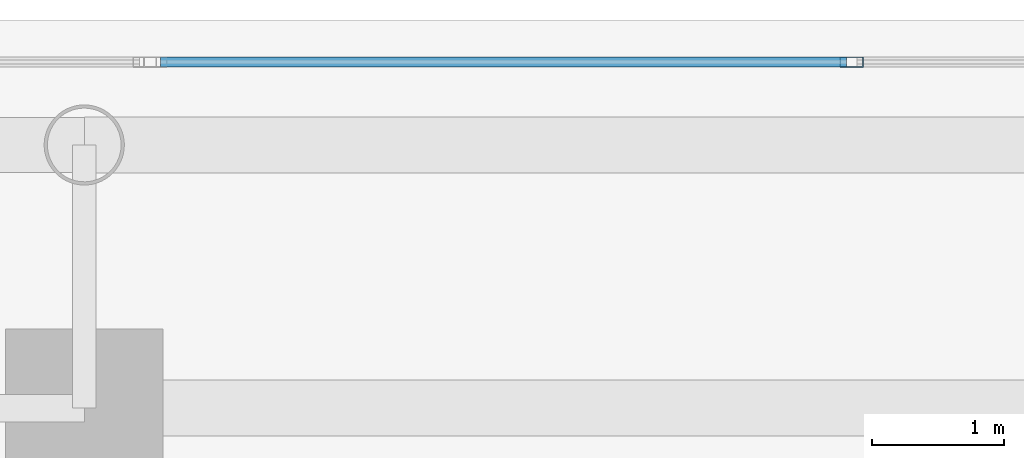
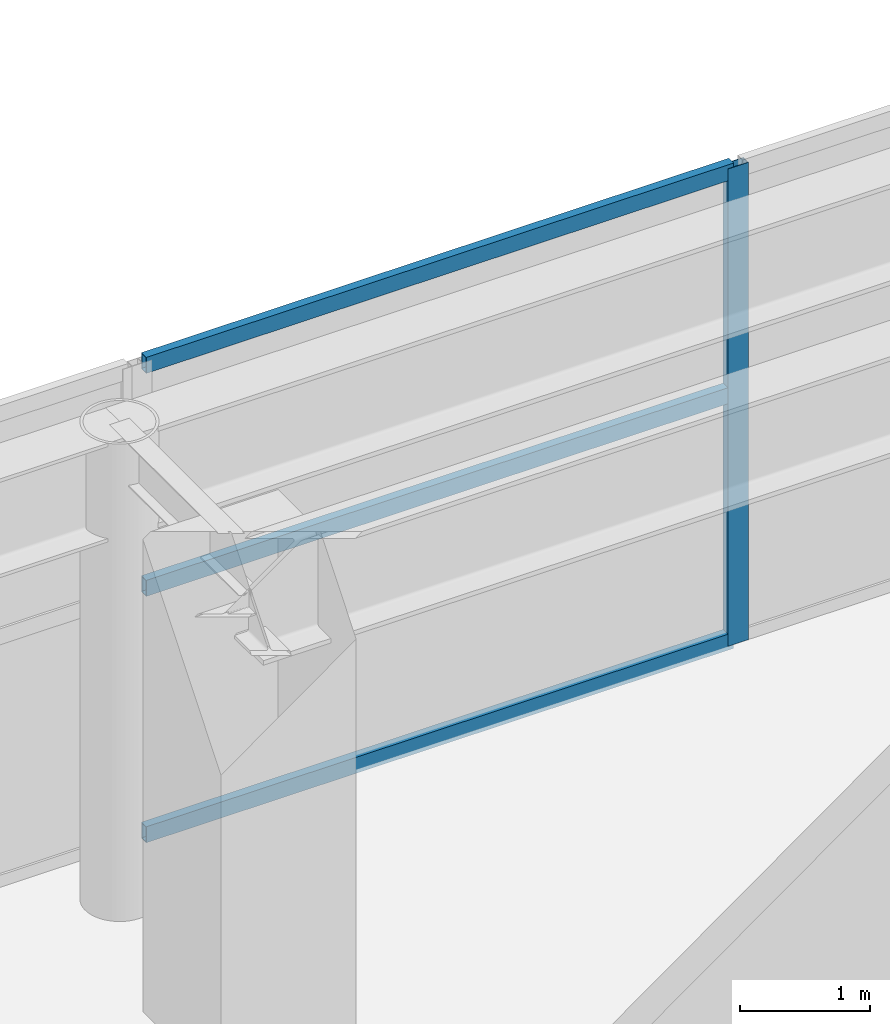
# One storey, part 13 of 28: 4 members, 1 element without a shape of its own.
"""IFC4 building model written with IfcOpenShell, lengths in metres."""

from ifc_helpers import new_model, si_unit, direction, frame, origin, origin_2d, place, context, subcontext, project, spatial, hollow_rectangle, extrude, source, transform, mapped, material, layer, layer_set, material_profile, profile_set, type_object, element, aggregate, save


model = new_model("IFC4")

# Units and contexts
model_context = context("Model", 3, precision=1e-05, world=origin(), true_north=direction((0.0, 1.0)))
body_context = subcontext(model_context, "Body", "Model", "MODEL_VIEW")
ifc_project = project(units=[si_unit("LENGTHUNIT", "METRE"), si_unit("AREAUNIT", "SQUARE_METRE"), si_unit("VOLUMEUNIT", "CUBIC_METRE"), si_unit("PLANEANGLEUNIT", "RADIAN"), si_unit("MASSUNIT", "GRAM", prefix="KILO")], contexts=[model_context])

# Site, building, storey
site_placement = place(None, origin())
site = spatial("IfcSite", under=ifc_project, at=site_placement, CompositionType="ELEMENT")
building_placement = place(site_placement, origin())
building = spatial("IfcBuilding", under=site, at=building_placement, Name="Ocotamira Hotel", CompositionType="ELEMENT")
storey_placement = place(building_placement, frame((0.0, 0.0, 24.0)))
storey = spatial("IfcBuildingStorey", under=building, at=storey_placement, Name="L05", CompositionType="ELEMENT", Elevation=24.0)

# Curtain wall, members
ifc_material_1 = material(Name="Anodised pale-metal aluminium and solar glass", Category="aluminium")
ifc_layer = layer(ifc_material_1, 0.219970703125)
ifc_layer_set = layer_set([ifc_layer], Name="Anodised pale-metal aluminium and solar glass")
curtain_wall_type = type_object("IfcCurtainWallType", Name="CW-SYS1-POD", PredefinedType="NOTDEFINED", material=ifc_layer_set)
curtain_wall_placement = place(storey_placement, origin())
curtain_wall = element("IfcCurtainWall", 1, at=curtain_wall_placement, inside=storey, type_object=curtain_wall_type, Name="L05 Curtain Wall CW-1 CW-L05-N2", PredefinedType="NOTDEFINED")
ifc_material_2 = material(Name="Anodised pale-metal aluminium 6063-T6", Category="aluminium")
ifc_material_profile_1 = material_profile(ifc_material_2, hollow_rectangle(XDim=0.080078125, YDim=0.179931640625, WallThickness=0.006103515625, at=origin_2d()), Name="HSS180X80X6")
ifc_profile_set_1 = profile_set([ifc_material_profile_1], Name="Anodised pale-metal aluminium 6063-T6")
member_type_1 = type_object("IfcMemberType", Name="CWM-180X75", PredefinedType="MULLION", material=ifc_profile_set_1)
shared_shape_1 = source(origin(), body_context, "Body", "SweptSolid", [
    extrude(hollow_rectangle(XDim=0.080078125, YDim=0.179931640625, WallThickness=0.006103515625, at=origin_2d()), origin(), (0.0, 0.0, 1.0), 4.47998046875),
])
member_1_placement = place(storey_placement, frame((29.333251953125, 51.679931640625, 0.0), z_axis=(0.0, 0.0, 1.0), x_axis=(0.0, 1.0, 0.0)))
member_1 = element("IfcMember", 2, at=member_1_placement, type_object=member_type_1, Name="CW-1 mullion 2", PredefinedType="MULLION", context=body_context, shape_type="MappedRepresentation", body=[
    mapped(shared_shape_1, transform((0.0, 0.0, 0.0), scale=1.0)),
])
ifc_material_profile_2 = material_profile(ifc_material_2, hollow_rectangle(XDim=0.074951171875, YDim=0.14990234375, WallThickness=0.006103515625, at=origin_2d()), Name="HSS150X75X6")
ifc_profile_set_2 = profile_set([ifc_material_profile_2], Name="Anodised pale-metal aluminium 6063-T6")
member_type_2 = type_object("IfcMemberType", Name="CWT-150X75", PredefinedType="USERDEFINED", material=ifc_profile_set_2)
shared_shape_2 = source(origin(), body_context, "Body", "SweptSolid", [
    extrude(hollow_rectangle(XDim=0.074951171875, YDim=0.14990234375, WallThickness=0.006103515625, at=origin_2d()), origin(), (0.0, 0.0, 1.0), 5.213134765625),
])
member_2_placement = place(storey_placement, frame((24.080078125, 51.679931640625, 0.03759765625), z_axis=(1.0, 0.0, 0.0), x_axis=(0.0, 1.0, 0.0)))
member_2 = element("IfcMember", 3, at=member_2_placement, type_object=member_type_2, Name="CW-1 transom 1.1", ObjectType="TRANSOM", PredefinedType="USERDEFINED", context=body_context, shape_type="MappedRepresentation", body=[
    mapped(shared_shape_2, transform((0.0, 0.0, 0.0), scale=1.0)),
])
member_3_placement = place(storey_placement, frame((24.080078125, 51.679931640625, 2.35009765625), z_axis=(1.0, 0.0, 0.0), x_axis=(0.0, 1.0, 0.0)))
member_3 = element("IfcMember", 4, at=member_3_placement, type_object=member_type_2, Name="CW-1 transom 1.2", ObjectType="TRANSOM", PredefinedType="USERDEFINED", context=body_context, shape_type="MappedRepresentation", body=[
    mapped(shared_shape_2, transform((0.0, 0.0, 0.0), scale=1.0)),
])
member_4_placement = place(storey_placement, frame((24.080078125, 51.679931640625, 4.4423828125), z_axis=(1.0, 0.0, 0.0), x_axis=(0.0, 1.0, 0.0)))
member_4 = element("IfcMember", 5, at=member_4_placement, type_object=member_type_2, Name="CW-1 transom 1.3", ObjectType="TRANSOM", PredefinedType="USERDEFINED", context=body_context, shape_type="MappedRepresentation", body=[
    mapped(shared_shape_2, transform((0.0, 0.0, 0.0), scale=1.0)),
])
aggregate(curtain_wall, [member_1, member_2, member_3, member_4])

save(model, "model.ifc")
